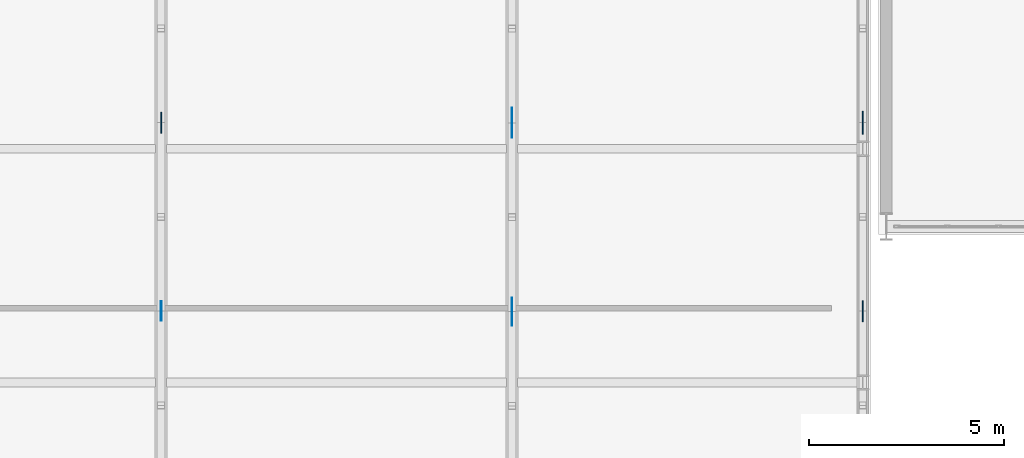
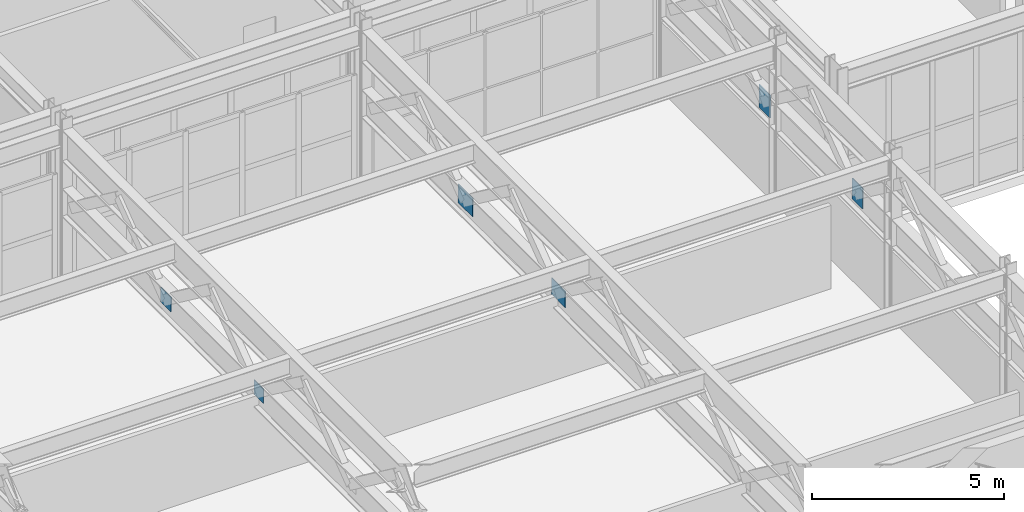
# One storey, part 153 of 210: 6 plates.
"""IFC4 building model written with IfcOpenShell, lengths in metres."""

import ifcopenshell
import ifcopenshell.guid

model = None  # the IFC model being written
_history = None  # IfcOwnerHistory: only IFC2X3 demands one
_inside = {}  # id of a spatial element -> (the spatial element, [elements in it])
_under = {}  # id of a project, library or spatial element -> (it, [spatial elements below it])
_declared = {}  # id of a project -> (the project, [libraries it declares])
_typed = {}  # id of a type object -> (the type object, [elements of that type])
_made_of = {}  # id of a material, layer set ... -> (it, [elements and type objects made of it])


def new_model(schema):
    """Start an empty IFC model of exactly this schema.

    Asked for "IFC4X3", IfcOpenShell would pick the latest addendum, in which some entities
    have other attributes; the version numbers below select the first issue.
    IFC2X3 requires an IfcOwnerHistory on every rooted entity: one is made here for all.
    """
    global model, _history
    if schema == "IFC4X3":
        model = ifcopenshell.file(schema_version=(4, 3, 0, 0))
    else:
        model = ifcopenshell.file(schema=schema)
    _inside.clear()
    _under.clear()
    _declared.clear()
    _typed.clear()
    _made_of.clear()
    _history = None
    if model.schema == "IFC2X3":
        org = make("IfcOrganization", Name="unknown")
        user = make(
            "IfcPersonAndOrganization",
            ThePerson=make("IfcPerson", FamilyName="unknown"),
            TheOrganization=org,
        )
        app = make(
            "IfcApplication",
            ApplicationDeveloper=org,
            Version="unknown",
            ApplicationFullName="unknown",
            ApplicationIdentifier="unknown",
        )
        _history = make(
            "IfcOwnerHistory",
            OwningUser=user,
            OwningApplication=app,
            ChangeAction="ADDED",
            CreationDate=0,
        )
    return model


def make(cls, **values):
    """One entity of the class cls with the attributes given. An attribute that is None is left unset."""
    return model.create_entity(
        cls, **{name: value for name, value in values.items() if value is not None}
    )


def rooted(cls, **values):
    """An entity with a GlobalId (a new one), such as an element, a storey or a relation."""
    return make(cls, GlobalId=ifcopenshell.guid.new(), OwnerHistory=_history, **values)


def si_unit(unit_type, name, prefix=None):
    """IfcSIUnit, for example si_unit("LENGTHUNIT", "METRE", prefix="MILLI")."""
    return make("IfcSIUnit", UnitType=unit_type, Prefix=prefix, Name=name)


def assignment(units):
    """IfcUnitAssignment: the units of a project."""
    return None if units is None else make("IfcUnitAssignment", Units=units)


def point(xyz):
    """IfcCartesianPoint."""
    return None if xyz is None else make("IfcCartesianPoint", Coordinates=xyz)


def direction(xyz):
    """IfcDirection."""
    return None if xyz is None else make("IfcDirection", DirectionRatios=xyz)


def frame(location, z_axis=None, x_axis=None):
    """IfcAxis2Placement3D, a coordinate frame: its origin and axes. An axis left out is left unset."""
    return make(
        "IfcAxis2Placement3D",
        Location=point(location),
        Axis=direction(z_axis),
        RefDirection=direction(x_axis),
    )


def frame_2d(location, x_axis=None):
    """IfcAxis2Placement2D, a coordinate frame in the plane: its origin and x axis."""
    return make(
        "IfcAxis2Placement2D", Location=point(location), RefDirection=direction(x_axis)
    )


def origin():
    """The frame at (0, 0, 0) with its axes left unset."""
    return frame((0.0, 0.0, 0.0))


def origin_2d():
    """The frame at (0, 0) in the plane with its x axis left unset."""
    return frame_2d((0.0, 0.0))


def place(relative_to, where):
    """IfcLocalPlacement: puts the frame where relative to a parent placement (None: the world)."""
    return make(
        "IfcLocalPlacement", PlacementRelTo=relative_to, RelativePlacement=where
    )


def context(
    kind, dimensions, precision=None, world=None, true_north=None, identifier=None
):
    """IfcGeometricRepresentationContext, for example the 3D "Model" context."""
    return make(
        "IfcGeometricRepresentationContext",
        ContextIdentifier=identifier,
        ContextType=kind,
        CoordinateSpaceDimension=dimensions,
        Precision=precision,
        WorldCoordinateSystem=world,
        TrueNorth=true_north,
    )


def subcontext(parent, identifier, kind, view, scale=None):
    """IfcGeometricRepresentationSubContext, for example "Body" below "Model"."""
    return make(
        "IfcGeometricRepresentationSubContext",
        ContextIdentifier=identifier,
        ContextType=kind,
        ParentContext=parent,
        TargetScale=scale,
        TargetView=view,
    )


def project(units=None, contexts=None):
    """IfcProject with its units and contexts."""
    return rooted(
        "IfcProject",
        Name="project",
        RepresentationContexts=contexts,
        UnitsInContext=assignment(units),
    )


def spatial(cls, under=None, at=None, **own):
    """A site, building, storey or space (cls), placed at a placement, below another one or the project."""
    s = rooted(cls, ObjectPlacement=at, **own)
    if under is not None:
        _under.setdefault(under.id(), (under, []))[1].append(s)
    return s


def profile(cls, at=None, kind="AREA", **sizes):
    """A parametric profile (cls). Its sizes go by their IFC names, for example OverallWidth=200.0."""
    return make(cls, ProfileType=kind, Position=at, **sizes)


def rectangle(**sizes):
    """IfcRectangleProfileDef."""
    return profile("IfcRectangleProfileDef", **sizes)


def extrude(swept, where, along, depth):
    """IfcExtrudedAreaSolid: the profile swept, set in the frame where, extruded along a direction by depth."""
    return make(
        "IfcExtrudedAreaSolid",
        SweptArea=swept,
        Position=where,
        ExtrudedDirection=direction(along),
        Depth=depth,
    )


def shape(context_of_items, identifier, shape_type, items):
    """IfcShapeRepresentation: the items that make up one representation, for example the "Body"."""
    return make(
        "IfcShapeRepresentation",
        ContextOfItems=context_of_items,
        RepresentationIdentifier=identifier,
        RepresentationType=shape_type,
        Items=items,
    )


def material(Name=None, Category=None):
    """IfcMaterial."""
    return make("IfcMaterial", Name=Name, Category=Category)


def made_of(thing, what):
    """Note that an element or type object is made of a material, layer set ...; save() writes the relation."""
    if what is not None:
        _made_of.setdefault(what.id(), (what, []))[1].append(thing)
    return thing


def type_object(cls, material=None, **own):
    """A type object (cls), such as IfcWallType, which elements share."""
    return made_of(rooted(cls, **own), material)


def element(
    cls,
    number,
    at=None,
    inside=None,
    cuts=None,
    type_object=None,
    material=None,
    context=None,
    identifier="Body",
    shape_type=None,
    held_by="IfcProductDefinitionShape",
    body=None,
    shapes=None,
    **own,
):
    """One element of the class cls, such as IfcWall. Its Tag is "e" and its number.

    at: its placement. inside: the storey or other place that contains it. cuts: it is an
    opening in that element (IfcRelVoidsElement). A single representation is given by context,
    identifier, shape_type and body (its items); several are given by shapes. held_by: the class
    of the entity that holds the representations. save() writes the other relations.
    """
    e = rooted(cls, Tag="e%d" % number, ObjectPlacement=at, **own)
    if body is not None:
        shapes = [shape(context, identifier, shape_type, body)]
    if shapes is not None:
        e.Representation = make(held_by, Representations=shapes)
    if inside is not None:
        _inside.setdefault(inside.id(), (inside, []))[1].append(e)
    if cuts is not None:
        rooted(
            "IfcRelVoidsElement", RelatingBuildingElement=cuts, RelatedOpeningElement=e
        )
    if type_object is not None:
        _typed.setdefault(type_object.id(), (type_object, []))[1].append(e)
    return made_of(e, material)


def aggregate(whole, parts):
    """IfcRelAggregates: a whole, such as a stair, and the parts it consists of."""
    return rooted("IfcRelAggregates", RelatingObject=whole, RelatedObjects=parts)


def save(model, path):
    """Write the relations noted so far, then the file.

    IfcRelAggregates (storeys below a building ...), IfcRelContainedInSpatialStructure (elements
    in a storey), IfcRelDefinesByType, IfcRelAssociatesMaterial and IfcRelDeclares: one each for
    every whole, place, type object, material and project.
    """
    for whole, parts in _under.values():
        aggregate(whole, parts)
    for where, things in _inside.values():
        rooted(
            "IfcRelContainedInSpatialStructure",
            RelatedElements=things,
            RelatingStructure=where,
        )
    for kind, things in _typed.values():
        rooted("IfcRelDefinesByType", RelatedObjects=things, RelatingType=kind)
    for what, things in _made_of.values():
        rooted("IfcRelAssociatesMaterial", RelatedObjects=things, RelatingMaterial=what)
    for by, libraries in _declared.values():
        rooted("IfcRelDeclares", RelatingContext=by, RelatedDefinitions=libraries)
    model.write(path)


model = new_model("IFC4")

# Units and contexts
model_context = context("Model", 3, precision=1e-05, world=origin(), true_north=direction((0.0, 1.0)))
body_context = subcontext(model_context, "Body", "Model", "MODEL_VIEW")
ifc_project = project(units=[si_unit("LENGTHUNIT", "METRE"), si_unit("AREAUNIT", "SQUARE_METRE"), si_unit("VOLUMEUNIT", "CUBIC_METRE"), si_unit("PLANEANGLEUNIT", "RADIAN"), si_unit("MASSUNIT", "GRAM", prefix="KILO")], contexts=[model_context])

# Site, building, storey
site_placement = place(None, origin())
site = spatial("IfcSite", under=ifc_project, at=site_placement, CompositionType="ELEMENT")
building_placement = place(site_placement, origin())
building = spatial("IfcBuilding", under=site, at=building_placement, Name="Kaldris Quays Convention Centre", CompositionType="ELEMENT")
storey_placement = place(building_placement, frame((0.0, 0.0, 6.0)))
storey = spatial("IfcBuildingStorey", under=building, at=storey_placement, Name="L01", CompositionType="ELEMENT", Elevation=6.0)

# Plates
ifc_material = material(Name="Steel S355J2", Category="steel")
plate_type_1 = type_object("IfcPlateType", Name="GUSSET PLATE GP04", PredefinedType="USERDEFINED", material=ifc_material)
plate_1_placement = place(storey_placement, frame((65.0, 35.833251953125, 2.517578125), z_axis=(0.0, 0.0, 1.0), x_axis=(1.0, 0.0, 0.0)))
element("IfcPlate", 1, at=plate_1_placement, inside=storey, type_object=plate_type_1, Name="Transfer Truss Gusset Plate GP04 34", ObjectType="GUSSET PLATE", PredefinedType="USERDEFINED", context=body_context, shape_type="SweptSolid", body=[
    extrude(rectangle(XDim=0.02392578125, YDim=0.4951171875, at=origin_2d()), origin(), (0.0, 0.0, 1.0), 0.465087890625),
])
plate_type_2 = type_object("IfcPlateType", Name="GUSSET PLATE GP05", PredefinedType="USERDEFINED", material=ifc_material)
plate_2_placement = place(storey_placement, frame((65.0, 40.666748046875, 2.517578125), z_axis=(0.0, 0.0, 1.0), x_axis=(1.0, 0.0, 0.0)))
element("IfcPlate", 2, at=plate_2_placement, inside=storey, type_object=plate_type_2, Name="Transfer Truss Gusset Plate GP05 35", ObjectType="GUSSET PLATE", PredefinedType="USERDEFINED", context=body_context, shape_type="SweptSolid", body=[
    extrude(rectangle(XDim=0.02587890625, YDim=0.5400390625, at=origin_2d()), origin(), (0.0, 0.0, 1.0), 0.465087890625),
])
plate_type_3 = type_object("IfcPlateType", Name="GUSSET PLATE GP09", PredefinedType="USERDEFINED", material=ifc_material)
plate_3_placement = place(storey_placement, frame((74.0, 35.820068359375, 2.48486328125), z_axis=(0.0, 0.0, 1.0), x_axis=(1.0, 0.0, 0.0)))
element("IfcPlate", 3, at=plate_3_placement, inside=storey, type_object=plate_type_3, Name="Transfer Truss Gusset Plate GP09 39", ObjectType="GUSSET PLATE", PredefinedType="USERDEFINED", context=body_context, shape_type="SweptSolid", body=[
    extrude(rectangle(XDim=0.01806640625, YDim=0.719970703125, at=origin_2d()), origin(), (0.0, 0.0, 1.0), 0.530029296875),
])
plate_type_4 = type_object("IfcPlateType", Name="GUSSET PLATE GP10", PredefinedType="USERDEFINED", material=ifc_material)
plate_4_placement = place(storey_placement, frame((74.0, 40.659912109375, 2.45263671875), z_axis=(0.0, 0.0, 1.0), x_axis=(1.0, 0.0, 0.0)))
element("IfcPlate", 4, at=plate_4_placement, inside=storey, type_object=plate_type_4, Name="Transfer Truss Gusset Plate GP10 40", ObjectType="GUSSET PLATE", PredefinedType="USERDEFINED", context=body_context, shape_type="SweptSolid", body=[
    extrude(rectangle(XDim=0.02001953125, YDim=0.764892578125, at=origin_2d()), origin(), (0.0, 0.0, 1.0), 0.594970703125),
])
plate_type_5 = type_object("IfcPlateType", Name="GUSSET PLATE GP15", PredefinedType="USERDEFINED", material=ifc_material)
plate_5_placement = place(storey_placement, frame((83.0, 35.833251953125, 2.419921875), z_axis=(0.0, 0.0, 1.0), x_axis=(1.0, 0.0, 0.0)))
element("IfcPlate", 5, at=plate_5_placement, inside=storey, type_object=plate_type_5, Name="Transfer Truss Gusset Plate GP15 45", ObjectType="GUSSET PLATE", PredefinedType="USERDEFINED", context=body_context, shape_type="SweptSolid", body=[
    extrude(rectangle(XDim=0.030029296875, YDim=0.5400390625, at=origin_2d()), origin(), (0.0, 0.0, 1.0), 0.659912109375),
])
plate_type_6 = type_object("IfcPlateType", Name="GUSSET PLATE GP16", PredefinedType="USERDEFINED", material=ifc_material)
plate_6_placement = place(storey_placement, frame((83.0, 40.666748046875, 2.387451171875), z_axis=(0.0, 0.0, 1.0), x_axis=(1.0, 0.0, 0.0)))
element("IfcPlate", 6, at=plate_6_placement, inside=storey, type_object=plate_type_6, Name="Transfer Truss Gusset Plate GP16 46", ObjectType="GUSSET PLATE", PredefinedType="USERDEFINED", context=body_context, shape_type="SweptSolid", body=[
    extrude(rectangle(XDim=0.031982421875, YDim=0.5849609375, at=origin_2d()), origin(), (0.0, 0.0, 1.0), 0.72509765625),
])

save(model, "model.ifc")
